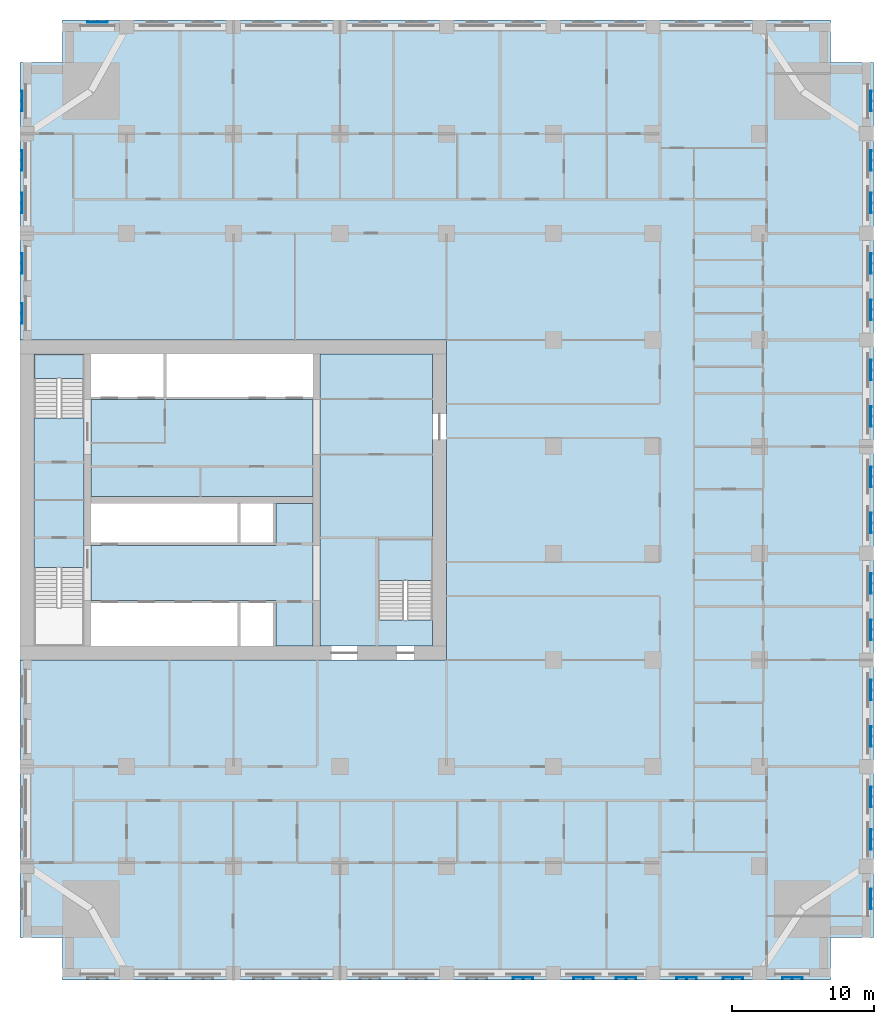
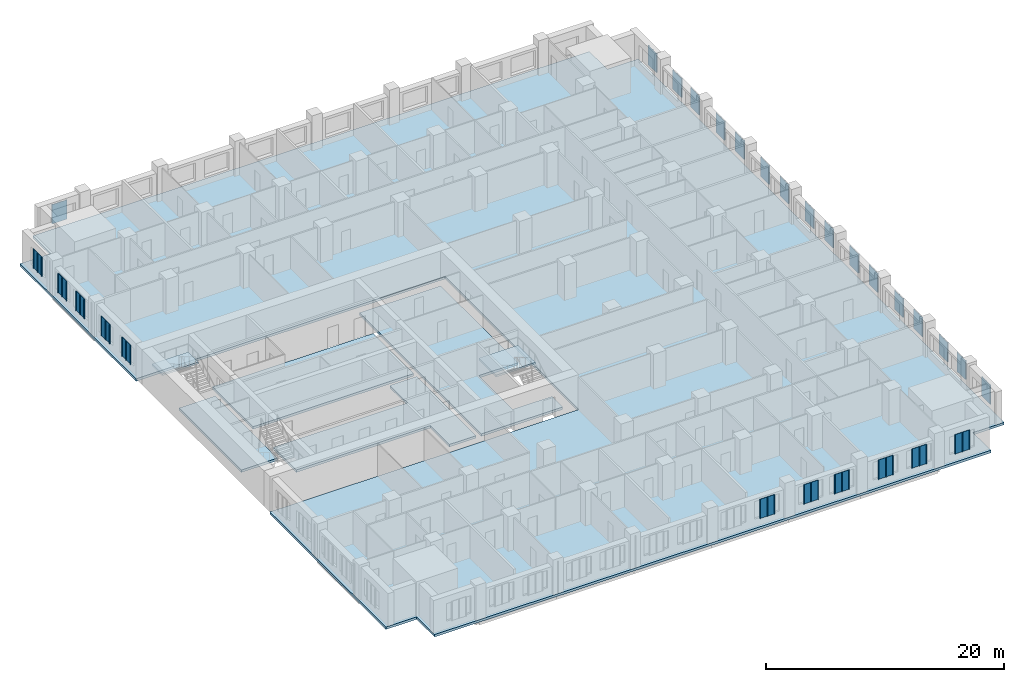
# One storey, part 2 of 14: 28 plates, 7 slabs, 2 elements without a shape of their own.
"""IFC4 building model written with IfcOpenShell, lengths in metres."""

from ifc_helpers import new_model, si_unit, direction, frame, origin, place, context, subcontext, project, spatial, polyline, outline, extrude, material, layer, layer_set, type_object, element, aggregate, save


model = new_model("IFC4")

# Units and contexts
model_context = context("Model", 3, precision=1e-05, world=origin(), true_north=direction((0.0, 1.0)))
body_context = subcontext(model_context, "Body", "Model", "MODEL_VIEW")
ifc_project = project(units=[si_unit("LENGTHUNIT", "METRE"), si_unit("AREAUNIT", "SQUARE_METRE"), si_unit("VOLUMEUNIT", "CUBIC_METRE"), si_unit("PLANEANGLEUNIT", "RADIAN"), si_unit("MASSUNIT", "GRAM", prefix="KILO")], contexts=[model_context])

# Site, building, storey
site_placement = place(None, origin())
site = spatial("IfcSite", under=ifc_project, at=site_placement, CompositionType="ELEMENT")
building_placement = place(site_placement, origin())
building = spatial("IfcBuilding", under=site, at=building_placement, Name="Tamorin Gate", CompositionType="ELEMENT")
storey_placement = place(building_placement, frame((0.0, 0.0, 55.60009765625)))
storey = spatial("IfcBuildingStorey", under=building, at=storey_placement, Name="L12", CompositionType="ELEMENT", Elevation=55.60009765625)

# Slabs
ifc_material_1 = material(Name="Concrete C40/50", Category="concrete")
ifc_layer_1 = layer(ifc_material_1, 0.25)
ifc_layer_set_1 = layer_set([ifc_layer_1], Name="Core floor slab 250 C40/50")
slab_type_1 = type_object("IfcSlabType", Name="Core floor slab 250 C40/50", PredefinedType="FLOOR", material=ifc_layer_set_1)
slab_1_placement = place(storey_placement, frame((0.0, 0.0, -0.25)))
element("IfcSlab", 1, at=slab_1_placement, inside=storey, type_object=slab_type_1, Name="Core floor L12", PredefinedType="FLOOR", context=body_context, shape_type="SweptSolid", body=[
    extrude(outline(polyline([(59.0, 62.800048828125), (59.0, 61.0), (51.10009765625, 61.0), (51.10009765625, 81.5), (59.0, 81.5), (59.0, 68.5), (55.199951171875, 68.5), (55.199951171875, 62.800048828125), (59.0, 62.800048828125)])), origin(), (0.0, 0.0, 1.0), 0.25),
])
slab_2_placement = place(storey_placement, frame((0.0, 0.0, -0.25)))
element("IfcSlab", 2, at=slab_2_placement, inside=storey, type_object=slab_type_1, Name="Core floor L12", PredefinedType="FLOOR", context=body_context, shape_type="SweptSolid", body=[
    extrude(outline(polyline([(50.60009765625, 61.0), (48.0, 61.0), (48.0, 64.199951171875), (35.0, 64.199951171875), (35.0, 68.050048828125), (48.0, 68.050048828125), (48.0, 71.0), (50.60009765625, 71.0), (50.60009765625, 61.0)])), origin(), (0.0, 0.0, 1.0), 0.25),
])
slab_3_placement = place(storey_placement, frame((0.0, 0.0, -0.25)))
element("IfcSlab", 3, at=slab_3_placement, inside=storey, type_object=slab_type_1, Name="Core floor L12", PredefinedType="FLOOR", context=body_context, shape_type="SweptSolid", body=[
    extrude(outline(polyline([(50.60009765625, 71.5), (35.0, 71.5), (35.0, 78.300048828125), (50.60009765625, 78.300048828125), (50.60009765625, 71.5)])), origin(), (0.0, 0.0, 1.0), 0.25),
])
slab_4_placement = place(storey_placement, frame((0.0, 0.0, -0.25)))
element("IfcSlab", 4, at=slab_4_placement, inside=storey, type_object=slab_type_1, Name="Core floor L12", PredefinedType="FLOOR", context=body_context, shape_type="SweptSolid", body=[
    extrude(outline(polyline([(31.0, 66.5), (31.0, 77.0), (34.5, 77.0), (34.5, 66.5), (31.0, 66.5)])), origin(), (0.0, 0.0, 1.0), 0.25),
])

# Stair, slab
stair_type = type_object("IfcStairType", Name="Exit stair", PredefinedType="HALF_TURN_STAIR", material=ifc_material_1)
stair_1_placement = place(storey_placement, origin())
stair_1 = element("IfcStair", 5, at=stair_1_placement, inside=storey, type_object=stair_type, Name="L12 stair ST2", PredefinedType="HALF_TURN_STAIR")
ifc_layer_2 = layer(ifc_material_1, 0.199951171875)
ifc_layer_set_2 = layer_set([ifc_layer_2], Name="Exit stair landing 200")
slab_type_2 = type_object("IfcSlabType", Name="Exit stair landing 200", PredefinedType="LANDING", material=ifc_layer_set_2)
slab_5_placement = place(storey_placement, frame((0.0, 0.0, 1.599853515625)))
slab_5 = element("IfcSlab", 6, at=slab_5_placement, type_object=slab_type_2, Name="ST2 landing 1", PredefinedType="LANDING", context=body_context, shape_type="SweptSolid", body=[
    extrude(outline(polyline([(34.5, 79.800048828125), (34.5, 81.5), (31.0, 81.5), (31.0, 79.800048828125), (34.5, 79.800048828125)])), origin(), (0.0, 0.0, 1.0), 0.199951171875),
])
aggregate(stair_1, [slab_5])

stair_2_placement = place(storey_placement, origin())
stair_2 = element("IfcStair", 7, at=stair_2_placement, inside=storey, type_object=stair_type, Name="L12 stair ST3", PredefinedType="HALF_TURN_STAIR")
slab_6_placement = place(storey_placement, frame((0.0, 0.0, 1.599853515625)))
slab_6 = element("IfcSlab", 8, at=slab_6_placement, type_object=slab_type_2, Name="ST3 landing 1", PredefinedType="LANDING", context=body_context, shape_type="SweptSolid", body=[
    extrude(outline(polyline([(59.0, 65.60009765625), (59.0, 68.5), (55.199951171875, 68.5), (55.199951171875, 65.60009765625), (59.0, 65.60009765625)])), origin(), (0.0, 0.0, 1.0), 0.199951171875),
])
aggregate(stair_2, [slab_6])

# Slab
ifc_layer_3 = layer(ifc_material_1, 0.25)
ifc_layer_set_3 = layer_set([ifc_layer_3], Name="Floor slab 250 C40/50")
slab_type_3 = type_object("IfcSlabType", Name="Floor slab 250 C40/50", PredefinedType="FLOOR", material=ifc_layer_set_3)
slab_7_placement = place(storey_placement, frame((0.0, 0.0, -0.25)))
element("IfcSlab", 9, at=slab_7_placement, inside=storey, type_object=slab_type_3, Name="Floor L12", PredefinedType="FLOOR", context=body_context, shape_type="SweptSolid", body=[
    extrude(outline(polyline([(30.0, 102.0), (33.0, 102.0), (33.0, 105.0), (87.0, 105.0), (87.0, 102.0), (90.0, 102.0), (90.0, 40.5), (87.0, 40.5), (87.0, 37.5), (33.0, 37.5), (33.0, 40.5), (30.0, 40.5), (30.0, 60.0), (60.0, 60.0), (60.0, 82.5), (30.0, 82.5), (30.0, 102.0)])), origin(), (0.0, 0.0, 1.0), 0.25),
])

# Plates
ifc_material_2 = material(Name="Perforated pale aluminium sheet", Category="aluminium")
ifc_layer_4 = layer(ifc_material_2, 0.0400390625)
ifc_layer_set_4 = layer_set([ifc_layer_4], Name="Pale metal solar screen 1440")
plate_type = type_object("IfcPlateType", Name="Pale metal solar screen 1440", PredefinedType="SHEET", material=ifc_layer_set_4)
plate_1_placement = place(storey_placement, frame((0.0, 0.0, 0.7099609375)))
element("IfcPlate", 10, at=plate_1_placement, inside=storey, type_object=plate_type, Name="Perforated solar screen", PredefinedType="SHEET", context=body_context, shape_type="SweptSolid", body=[
    extrude(outline(polyline([(64.655029296875, 37.659912109375), (64.655029296875, 37.699951171875), (64.715087890625, 37.699951171875), (65.344970703125, 37.699951171875), (65.405029296875, 37.699951171875), (66.034912109375, 37.699951171875), (66.094970703125, 37.699951171875), (66.094970703125, 37.659912109375), (66.094970703125, 37.60009765625), (66.034912109375, 37.60009765625), (66.034912109375, 37.659912109375), (65.405029296875, 37.659912109375), (65.405029296875, 37.60009765625), (65.344970703125, 37.60009765625), (65.344970703125, 37.659912109375), (64.715087890625, 37.659912109375), (64.715087890625, 37.60009765625), (64.655029296875, 37.60009765625), (64.655029296875, 37.659912109375)])), origin(), (0.0, 0.0, 1.0), 1.97998046875),
])
plate_2_placement = place(storey_placement, frame((0.0, 0.0, 0.7099609375)))
element("IfcPlate", 11, at=plate_2_placement, inside=storey, type_object=plate_type, Name="Perforated solar screen", PredefinedType="SHEET", context=body_context, shape_type="SweptSolid", body=[
    extrude(outline(polyline([(68.905029296875, 37.659912109375), (68.905029296875, 37.699951171875), (68.965087890625, 37.699951171875), (69.594970703125, 37.699951171875), (69.655029296875, 37.699951171875), (70.284912109375, 37.699951171875), (70.344970703125, 37.699951171875), (70.344970703125, 37.659912109375), (70.344970703125, 37.60009765625), (70.284912109375, 37.60009765625), (70.284912109375, 37.659912109375), (69.655029296875, 37.659912109375), (69.655029296875, 37.60009765625), (69.594970703125, 37.60009765625), (69.594970703125, 37.659912109375), (68.965087890625, 37.659912109375), (68.965087890625, 37.60009765625), (68.905029296875, 37.60009765625), (68.905029296875, 37.659912109375)])), origin(), (0.0, 0.0, 1.0), 1.97998046875),
])
plate_3_placement = place(storey_placement, frame((0.0, 0.0, 0.7099609375)))
element("IfcPlate", 12, at=plate_3_placement, inside=storey, type_object=plate_type, Name="Perforated solar screen", PredefinedType="SHEET", context=body_context, shape_type="SweptSolid", body=[
    extrude(outline(polyline([(71.905029296875, 37.659912109375), (71.905029296875, 37.699951171875), (71.965087890625, 37.699951171875), (72.594970703125, 37.699951171875), (72.655029296875, 37.699951171875), (73.284912109375, 37.699951171875), (73.344970703125, 37.699951171875), (73.344970703125, 37.659912109375), (73.344970703125, 37.60009765625), (73.284912109375, 37.60009765625), (73.284912109375, 37.659912109375), (72.655029296875, 37.659912109375), (72.655029296875, 37.60009765625), (72.594970703125, 37.60009765625), (72.594970703125, 37.659912109375), (71.965087890625, 37.659912109375), (71.965087890625, 37.60009765625), (71.905029296875, 37.60009765625), (71.905029296875, 37.659912109375)])), origin(), (0.0, 0.0, 1.0), 1.97998046875),
])
plate_4_placement = place(storey_placement, frame((0.0, 0.0, 0.7099609375)))
element("IfcPlate", 13, at=plate_4_placement, inside=storey, type_object=plate_type, Name="Perforated solar screen", PredefinedType="SHEET", context=body_context, shape_type="SweptSolid", body=[
    extrude(outline(polyline([(76.155029296875, 37.659912109375), (76.155029296875, 37.699951171875), (76.215087890625, 37.699951171875), (76.844970703125, 37.699951171875), (76.905029296875, 37.699951171875), (77.534912109375, 37.699951171875), (77.594970703125, 37.699951171875), (77.594970703125, 37.659912109375), (77.594970703125, 37.60009765625), (77.534912109375, 37.60009765625), (77.534912109375, 37.659912109375), (76.905029296875, 37.659912109375), (76.905029296875, 37.60009765625), (76.844970703125, 37.60009765625), (76.844970703125, 37.659912109375), (76.215087890625, 37.659912109375), (76.215087890625, 37.60009765625), (76.155029296875, 37.60009765625), (76.155029296875, 37.659912109375)])), origin(), (0.0, 0.0, 1.0), 1.97998046875),
])
plate_5_placement = place(storey_placement, frame((0.0, 0.0, 0.7099609375)))
element("IfcPlate", 14, at=plate_5_placement, inside=storey, type_object=plate_type, Name="Perforated solar screen", PredefinedType="SHEET", context=body_context, shape_type="SweptSolid", body=[
    extrude(outline(polyline([(79.405029296875, 37.659912109375), (79.405029296875, 37.699951171875), (79.465087890625, 37.699951171875), (80.094970703125, 37.699951171875), (80.155029296875, 37.699951171875), (80.784912109375, 37.699951171875), (80.844970703125, 37.699951171875), (80.844970703125, 37.659912109375), (80.844970703125, 37.60009765625), (80.784912109375, 37.60009765625), (80.784912109375, 37.659912109375), (80.155029296875, 37.659912109375), (80.155029296875, 37.60009765625), (80.094970703125, 37.60009765625), (80.094970703125, 37.659912109375), (79.465087890625, 37.659912109375), (79.465087890625, 37.60009765625), (79.405029296875, 37.60009765625), (79.405029296875, 37.659912109375)])), origin(), (0.0, 0.0, 1.0), 1.97998046875),
])
plate_6_placement = place(storey_placement, frame((0.0, 0.0, 0.7099609375)))
element("IfcPlate", 15, at=plate_6_placement, inside=storey, type_object=plate_type, Name="Perforated solar screen", PredefinedType="SHEET", context=body_context, shape_type="SweptSolid", body=[
    extrude(outline(polyline([(83.580078125, 37.659912109375), (83.580078125, 37.699951171875), (83.639892578125, 37.699951171875), (84.27001953125, 37.699951171875), (84.330078125, 37.699951171875), (84.9599609375, 37.699951171875), (85.02001953125, 37.699951171875), (85.02001953125, 37.659912109375), (85.02001953125, 37.60009765625), (84.9599609375, 37.60009765625), (84.9599609375, 37.659912109375), (84.330078125, 37.659912109375), (84.330078125, 37.60009765625), (84.27001953125, 37.60009765625), (84.27001953125, 37.659912109375), (83.639892578125, 37.659912109375), (83.639892578125, 37.60009765625), (83.580078125, 37.60009765625), (83.580078125, 37.659912109375)])), origin(), (0.0, 0.0, 1.0), 1.97998046875),
])
plate_7_placement = place(storey_placement, frame((0.0, 0.0, 0.7099609375)))
element("IfcPlate", 16, at=plate_7_placement, inside=storey, type_object=plate_type, Name="Perforated solar screen", PredefinedType="SHEET", context=body_context, shape_type="SweptSolid", body=[
    extrude(outline(polyline([(89.840087890625, 42.47998046875), (89.800048828125, 42.47998046875), (89.800048828125, 42.5400390625), (89.800048828125, 43.169921875), (89.800048828125, 43.22998046875), (89.800048828125, 43.860107421875), (89.800048828125, 43.919921875), (89.840087890625, 43.919921875), (89.89990234375, 43.919921875), (89.89990234375, 43.860107421875), (89.840087890625, 43.860107421875), (89.840087890625, 43.22998046875), (89.89990234375, 43.22998046875), (89.89990234375, 43.169921875), (89.840087890625, 43.169921875), (89.840087890625, 42.5400390625), (89.89990234375, 42.5400390625), (89.89990234375, 42.47998046875), (89.840087890625, 42.47998046875)])), origin(), (0.0, 0.0, 1.0), 1.97998046875),
])
plate_8_placement = place(storey_placement, frame((0.0, 0.0, 0.7099609375)))
element("IfcPlate", 17, at=plate_8_placement, inside=storey, type_object=plate_type, Name="Perforated solar screen", PredefinedType="SHEET", context=body_context, shape_type="SweptSolid", body=[
    extrude(outline(polyline([(89.840087890625, 46.655029296875), (89.800048828125, 46.655029296875), (89.800048828125, 46.715087890625), (89.800048828125, 47.344970703125), (89.800048828125, 47.405029296875), (89.800048828125, 48.034912109375), (89.800048828125, 48.094970703125), (89.800048828125, 48.094970703125), (89.840087890625, 48.094970703125), (89.840087890625, 48.094970703125), (89.89990234375, 48.094970703125), (89.89990234375, 48.034912109375), (89.840087890625, 48.034912109375), (89.840087890625, 47.405029296875), (89.89990234375, 47.405029296875), (89.89990234375, 47.344970703125), (89.840087890625, 47.344970703125), (89.840087890625, 46.715087890625), (89.89990234375, 46.715087890625), (89.89990234375, 46.655029296875), (89.840087890625, 46.655029296875)])), origin(), (0.0, 0.0, 1.0), 1.97998046875),
])
plate_9_placement = place(storey_placement, frame((0.0, 0.0, 0.7099609375)))
element("IfcPlate", 18, at=plate_9_placement, inside=storey, type_object=plate_type, Name="Perforated solar screen", PredefinedType="SHEET", context=body_context, shape_type="SweptSolid", body=[
    extrude(outline(polyline([(89.840087890625, 49.655029296875), (89.800048828125, 49.655029296875), (89.800048828125, 49.715087890625), (89.800048828125, 50.344970703125), (89.800048828125, 50.405029296875), (89.800048828125, 51.034912109375), (89.800048828125, 51.094970703125), (89.840087890625, 51.094970703125), (89.89990234375, 51.094970703125), (89.89990234375, 51.034912109375), (89.840087890625, 51.034912109375), (89.840087890625, 50.405029296875), (89.89990234375, 50.405029296875), (89.89990234375, 50.344970703125), (89.840087890625, 50.344970703125), (89.840087890625, 49.715087890625), (89.89990234375, 49.715087890625), (89.89990234375, 49.655029296875), (89.840087890625, 49.655029296875)])), origin(), (0.0, 0.0, 1.0), 1.97998046875),
])
plate_10_placement = place(storey_placement, frame((0.0, 0.0, 0.7099609375)))
element("IfcPlate", 19, at=plate_10_placement, inside=storey, type_object=plate_type, Name="Perforated solar screen", PredefinedType="SHEET", context=body_context, shape_type="SweptSolid", body=[
    extrude(outline(polyline([(89.840087890625, 53.905029296875), (89.800048828125, 53.905029296875), (89.800048828125, 53.965087890625), (89.800048828125, 54.594970703125), (89.800048828125, 54.655029296875), (89.800048828125, 55.284912109375), (89.800048828125, 55.344970703125), (89.840087890625, 55.344970703125), (89.89990234375, 55.344970703125), (89.89990234375, 55.284912109375), (89.840087890625, 55.284912109375), (89.840087890625, 54.655029296875), (89.89990234375, 54.655029296875), (89.89990234375, 54.594970703125), (89.840087890625, 54.594970703125), (89.840087890625, 53.965087890625), (89.89990234375, 53.965087890625), (89.89990234375, 53.905029296875), (89.840087890625, 53.905029296875)])), origin(), (0.0, 0.0, 1.0), 1.97998046875),
])
plate_11_placement = place(storey_placement, frame((0.0, 0.0, 0.7099609375)))
element("IfcPlate", 20, at=plate_11_placement, inside=storey, type_object=plate_type, Name="Perforated solar screen", PredefinedType="SHEET", context=body_context, shape_type="SweptSolid", body=[
    extrude(outline(polyline([(89.840087890625, 57.155029296875), (89.800048828125, 57.155029296875), (89.800048828125, 57.215087890625), (89.800048828125, 57.844970703125), (89.800048828125, 57.905029296875), (89.800048828125, 58.534912109375), (89.800048828125, 58.594970703125), (89.840087890625, 58.594970703125), (89.89990234375, 58.594970703125), (89.89990234375, 58.534912109375), (89.840087890625, 58.534912109375), (89.840087890625, 57.905029296875), (89.89990234375, 57.905029296875), (89.89990234375, 57.844970703125), (89.840087890625, 57.844970703125), (89.840087890625, 57.215087890625), (89.89990234375, 57.215087890625), (89.89990234375, 57.155029296875), (89.840087890625, 57.155029296875)])), origin(), (0.0, 0.0, 1.0), 1.97998046875),
])
plate_12_placement = place(storey_placement, frame((0.0, 0.0, 0.7099609375)))
element("IfcPlate", 21, at=plate_12_placement, inside=storey, type_object=plate_type, Name="Perforated solar screen", PredefinedType="SHEET", context=body_context, shape_type="SweptSolid", body=[
    extrude(outline(polyline([(89.840087890625, 61.405029296875), (89.800048828125, 61.405029296875), (89.800048828125, 61.465087890625), (89.800048828125, 62.094970703125), (89.800048828125, 62.155029296875), (89.800048828125, 62.784912109375), (89.800048828125, 62.844970703125), (89.840087890625, 62.844970703125), (89.89990234375, 62.844970703125), (89.89990234375, 62.784912109375), (89.840087890625, 62.784912109375), (89.840087890625, 62.155029296875), (89.89990234375, 62.155029296875), (89.89990234375, 62.094970703125), (89.840087890625, 62.094970703125), (89.840087890625, 61.465087890625), (89.89990234375, 61.465087890625), (89.89990234375, 61.405029296875), (89.840087890625, 61.405029296875)])), origin(), (0.0, 0.0, 1.0), 1.97998046875),
])
plate_13_placement = place(storey_placement, frame((0.0, 0.0, 0.7099609375)))
element("IfcPlate", 22, at=plate_13_placement, inside=storey, type_object=plate_type, Name="Perforated solar screen", PredefinedType="SHEET", context=body_context, shape_type="SweptSolid", body=[
    extrude(outline(polyline([(89.840087890625, 64.655029296875), (89.800048828125, 64.655029296875), (89.800048828125, 64.715087890625), (89.800048828125, 65.344970703125), (89.800048828125, 65.405029296875), (89.800048828125, 66.034912109375), (89.800048828125, 66.094970703125), (89.840087890625, 66.094970703125), (89.89990234375, 66.094970703125), (89.89990234375, 66.034912109375), (89.840087890625, 66.034912109375), (89.840087890625, 65.405029296875), (89.89990234375, 65.405029296875), (89.89990234375, 65.344970703125), (89.840087890625, 65.344970703125), (89.840087890625, 64.715087890625), (89.89990234375, 64.715087890625), (89.89990234375, 64.655029296875), (89.840087890625, 64.655029296875)])), origin(), (0.0, 0.0, 1.0), 1.97998046875),
])
plate_14_placement = place(storey_placement, frame((0.0, 0.0, 0.7099609375)))
element("IfcPlate", 23, at=plate_14_placement, inside=storey, type_object=plate_type, Name="Perforated solar screen", PredefinedType="SHEET", context=body_context, shape_type="SweptSolid", body=[
    extrude(outline(polyline([(89.840087890625, 68.905029296875), (89.800048828125, 68.905029296875), (89.800048828125, 68.965087890625), (89.800048828125, 69.594970703125), (89.800048828125, 69.655029296875), (89.800048828125, 70.284912109375), (89.800048828125, 70.344970703125), (89.840087890625, 70.344970703125), (89.89990234375, 70.344970703125), (89.89990234375, 70.284912109375), (89.840087890625, 70.284912109375), (89.840087890625, 69.655029296875), (89.89990234375, 69.655029296875), (89.89990234375, 69.594970703125), (89.840087890625, 69.594970703125), (89.840087890625, 68.965087890625), (89.89990234375, 68.965087890625), (89.89990234375, 68.905029296875), (89.840087890625, 68.905029296875)])), origin(), (0.0, 0.0, 1.0), 1.97998046875),
])
plate_15_placement = place(storey_placement, frame((0.0, 0.0, 0.7099609375)))
element("IfcPlate", 24, at=plate_15_placement, inside=storey, type_object=plate_type, Name="Perforated solar screen", PredefinedType="SHEET", context=body_context, shape_type="SweptSolid", body=[
    extrude(outline(polyline([(89.840087890625, 72.155029296875), (89.800048828125, 72.155029296875), (89.800048828125, 72.215087890625), (89.800048828125, 72.844970703125), (89.800048828125, 72.905029296875), (89.800048828125, 73.534912109375), (89.800048828125, 73.594970703125), (89.840087890625, 73.594970703125), (89.89990234375, 73.594970703125), (89.89990234375, 73.534912109375), (89.840087890625, 73.534912109375), (89.840087890625, 72.905029296875), (89.89990234375, 72.905029296875), (89.89990234375, 72.844970703125), (89.840087890625, 72.844970703125), (89.840087890625, 72.215087890625), (89.89990234375, 72.215087890625), (89.89990234375, 72.155029296875), (89.840087890625, 72.155029296875)])), origin(), (0.0, 0.0, 1.0), 1.97998046875),
])
plate_16_placement = place(storey_placement, frame((0.0, 0.0, 0.7099609375)))
element("IfcPlate", 25, at=plate_16_placement, inside=storey, type_object=plate_type, Name="Perforated solar screen", PredefinedType="SHEET", context=body_context, shape_type="SweptSolid", body=[
    extrude(outline(polyline([(89.840087890625, 76.405029296875), (89.800048828125, 76.405029296875), (89.800048828125, 76.465087890625), (89.800048828125, 77.094970703125), (89.800048828125, 77.155029296875), (89.800048828125, 77.784912109375), (89.800048828125, 77.844970703125), (89.840087890625, 77.844970703125), (89.89990234375, 77.844970703125), (89.89990234375, 77.784912109375), (89.840087890625, 77.784912109375), (89.840087890625, 77.155029296875), (89.89990234375, 77.155029296875), (89.89990234375, 77.094970703125), (89.840087890625, 77.094970703125), (89.840087890625, 76.465087890625), (89.89990234375, 76.465087890625), (89.89990234375, 76.405029296875), (89.840087890625, 76.405029296875)])), origin(), (0.0, 0.0, 1.0), 1.97998046875),
])
plate_17_placement = place(storey_placement, frame((0.0, 0.0, 0.7099609375)))
element("IfcPlate", 26, at=plate_17_placement, inside=storey, type_object=plate_type, Name="Perforated solar screen", PredefinedType="SHEET", context=body_context, shape_type="SweptSolid", body=[
    extrude(outline(polyline([(89.840087890625, 79.655029296875), (89.800048828125, 79.655029296875), (89.800048828125, 79.715087890625), (89.800048828125, 80.344970703125), (89.800048828125, 80.405029296875), (89.800048828125, 81.034912109375), (89.800048828125, 81.094970703125), (89.840087890625, 81.094970703125), (89.89990234375, 81.094970703125), (89.89990234375, 81.034912109375), (89.840087890625, 81.034912109375), (89.840087890625, 80.405029296875), (89.89990234375, 80.405029296875), (89.89990234375, 80.344970703125), (89.840087890625, 80.344970703125), (89.840087890625, 79.715087890625), (89.89990234375, 79.715087890625), (89.89990234375, 79.655029296875), (89.840087890625, 79.655029296875)])), origin(), (0.0, 0.0, 1.0), 1.97998046875),
])
plate_18_placement = place(storey_placement, frame((0.0, 0.0, 0.7099609375)))
element("IfcPlate", 27, at=plate_18_placement, inside=storey, type_object=plate_type, Name="Perforated solar screen", PredefinedType="SHEET", context=body_context, shape_type="SweptSolid", body=[
    extrude(outline(polyline([(89.840087890625, 83.905029296875), (89.800048828125, 83.905029296875), (89.800048828125, 83.965087890625), (89.800048828125, 84.594970703125), (89.800048828125, 84.655029296875), (89.800048828125, 85.284912109375), (89.800048828125, 85.344970703125), (89.840087890625, 85.344970703125), (89.89990234375, 85.344970703125), (89.89990234375, 85.284912109375), (89.840087890625, 85.284912109375), (89.840087890625, 84.655029296875), (89.89990234375, 84.655029296875), (89.89990234375, 84.594970703125), (89.840087890625, 84.594970703125), (89.840087890625, 83.965087890625), (89.89990234375, 83.965087890625), (89.89990234375, 83.905029296875), (89.840087890625, 83.905029296875)])), origin(), (0.0, 0.0, 1.0), 1.97998046875),
])
plate_19_placement = place(storey_placement, frame((0.0, 0.0, 0.7099609375)))
element("IfcPlate", 28, at=plate_19_placement, inside=storey, type_object=plate_type, Name="Perforated solar screen", PredefinedType="SHEET", context=body_context, shape_type="SweptSolid", body=[
    extrude(outline(polyline([(89.840087890625, 87.155029296875), (89.800048828125, 87.155029296875), (89.800048828125, 87.215087890625), (89.800048828125, 87.844970703125), (89.800048828125, 87.905029296875), (89.800048828125, 88.534912109375), (89.800048828125, 88.594970703125), (89.840087890625, 88.594970703125), (89.89990234375, 88.594970703125), (89.89990234375, 88.534912109375), (89.840087890625, 88.534912109375), (89.840087890625, 87.905029296875), (89.89990234375, 87.905029296875), (89.89990234375, 87.844970703125), (89.840087890625, 87.844970703125), (89.840087890625, 87.215087890625), (89.89990234375, 87.215087890625), (89.89990234375, 87.155029296875), (89.840087890625, 87.155029296875)])), origin(), (0.0, 0.0, 1.0), 1.97998046875),
])
plate_20_placement = place(storey_placement, frame((0.0, 0.0, 0.7099609375)))
element("IfcPlate", 29, at=plate_20_placement, inside=storey, type_object=plate_type, Name="Perforated solar screen", PredefinedType="SHEET", context=body_context, shape_type="SweptSolid", body=[
    extrude(outline(polyline([(89.840087890625, 91.405029296875), (89.800048828125, 91.405029296875), (89.800048828125, 91.465087890625), (89.800048828125, 92.094970703125), (89.800048828125, 92.155029296875), (89.800048828125, 92.784912109375), (89.800048828125, 92.844970703125), (89.840087890625, 92.844970703125), (89.89990234375, 92.844970703125), (89.89990234375, 92.784912109375), (89.840087890625, 92.784912109375), (89.840087890625, 92.155029296875), (89.89990234375, 92.155029296875), (89.89990234375, 92.094970703125), (89.840087890625, 92.094970703125), (89.840087890625, 91.465087890625), (89.89990234375, 91.465087890625), (89.89990234375, 91.405029296875), (89.840087890625, 91.405029296875)])), origin(), (0.0, 0.0, 1.0), 1.97998046875),
])
plate_21_placement = place(storey_placement, frame((0.0, 0.0, 0.7099609375)))
element("IfcPlate", 30, at=plate_21_placement, inside=storey, type_object=plate_type, Name="Perforated solar screen", PredefinedType="SHEET", context=body_context, shape_type="SweptSolid", body=[
    extrude(outline(polyline([(89.840087890625, 94.405029296875), (89.800048828125, 94.405029296875), (89.800048828125, 94.465087890625), (89.800048828125, 95.094970703125), (89.800048828125, 95.155029296875), (89.800048828125, 95.784912109375), (89.800048828125, 95.844970703125), (89.840087890625, 95.844970703125), (89.89990234375, 95.844970703125), (89.89990234375, 95.784912109375), (89.840087890625, 95.784912109375), (89.840087890625, 95.155029296875), (89.89990234375, 95.155029296875), (89.89990234375, 95.094970703125), (89.840087890625, 95.094970703125), (89.840087890625, 94.465087890625), (89.89990234375, 94.465087890625), (89.89990234375, 94.405029296875), (89.840087890625, 94.405029296875)])), origin(), (0.0, 0.0, 1.0), 1.97998046875),
])
plate_22_placement = place(storey_placement, frame((0.0, 0.0, 0.7099609375)))
element("IfcPlate", 31, at=plate_22_placement, inside=storey, type_object=plate_type, Name="Perforated solar screen", PredefinedType="SHEET", context=body_context, shape_type="SweptSolid", body=[
    extrude(outline(polyline([(89.840087890625, 98.580078125), (89.800048828125, 98.580078125), (89.800048828125, 98.639892578125), (89.800048828125, 99.27001953125), (89.800048828125, 99.330078125), (89.800048828125, 99.9599609375), (89.800048828125, 100.02001953125), (89.840087890625, 100.02001953125), (89.89990234375, 100.02001953125), (89.89990234375, 99.9599609375), (89.840087890625, 99.9599609375), (89.840087890625, 99.330078125), (89.89990234375, 99.330078125), (89.89990234375, 99.27001953125), (89.840087890625, 99.27001953125), (89.840087890625, 98.639892578125), (89.89990234375, 98.639892578125), (89.89990234375, 98.580078125), (89.840087890625, 98.580078125)])), origin(), (0.0, 0.0, 1.0), 1.97998046875),
])
plate_23_placement = place(storey_placement, frame((0.0, 0.0, 0.7099609375)))
element("IfcPlate", 32, at=plate_23_placement, inside=storey, type_object=plate_type, Name="Perforated solar screen", PredefinedType="SHEET", context=body_context, shape_type="SweptSolid", body=[
    extrude(outline(polyline([(36.169921875, 104.840087890625), (36.169921875, 104.800048828125), (36.110107421875, 104.800048828125), (35.47998046875, 104.800048828125), (35.419921875, 104.800048828125), (34.7900390625, 104.800048828125), (34.72998046875, 104.800048828125), (34.72998046875, 104.840087890625), (34.72998046875, 104.89990234375), (34.7900390625, 104.89990234375), (34.7900390625, 104.840087890625), (35.419921875, 104.840087890625), (35.419921875, 104.89990234375), (35.47998046875, 104.89990234375), (35.47998046875, 104.840087890625), (36.110107421875, 104.840087890625), (36.110107421875, 104.89990234375), (36.169921875, 104.89990234375), (36.169921875, 104.840087890625)])), origin(), (0.0, 0.0, 1.0), 1.97998046875),
])
plate_24_placement = place(storey_placement, frame((0.0, 0.0, 0.7099609375)))
element("IfcPlate", 33, at=plate_24_placement, inside=storey, type_object=plate_type, Name="Perforated solar screen", PredefinedType="SHEET", context=body_context, shape_type="SweptSolid", body=[
    extrude(outline(polyline([(30.159912109375, 100.02001953125), (30.199951171875, 100.02001953125), (30.199951171875, 99.9599609375), (30.199951171875, 99.330078125), (30.199951171875, 99.27001953125), (30.199951171875, 98.639892578125), (30.199951171875, 98.580078125), (30.159912109375, 98.580078125), (30.10009765625, 98.580078125), (30.10009765625, 98.639892578125), (30.159912109375, 98.639892578125), (30.159912109375, 99.27001953125), (30.10009765625, 99.27001953125), (30.10009765625, 99.330078125), (30.159912109375, 99.330078125), (30.159912109375, 99.9599609375), (30.10009765625, 99.9599609375), (30.10009765625, 100.02001953125), (30.159912109375, 100.02001953125)])), origin(), (0.0, 0.0, 1.0), 1.97998046875),
])
plate_25_placement = place(storey_placement, frame((0.0, 0.0, 0.7099609375)))
element("IfcPlate", 34, at=plate_25_placement, inside=storey, type_object=plate_type, Name="Perforated solar screen", PredefinedType="SHEET", context=body_context, shape_type="SweptSolid", body=[
    extrude(outline(polyline([(30.159912109375, 92.844970703125), (30.199951171875, 92.844970703125), (30.199951171875, 92.784912109375), (30.199951171875, 92.155029296875), (30.199951171875, 92.094970703125), (30.199951171875, 91.465087890625), (30.199951171875, 91.405029296875), (30.159912109375, 91.405029296875), (30.10009765625, 91.405029296875), (30.10009765625, 91.465087890625), (30.159912109375, 91.465087890625), (30.159912109375, 92.094970703125), (30.10009765625, 92.094970703125), (30.10009765625, 92.155029296875), (30.159912109375, 92.155029296875), (30.159912109375, 92.784912109375), (30.10009765625, 92.784912109375), (30.10009765625, 92.844970703125), (30.159912109375, 92.844970703125)])), origin(), (0.0, 0.0, 1.0), 1.97998046875),
])
plate_26_placement = place(storey_placement, frame((0.0, 0.0, 0.7099609375)))
element("IfcPlate", 35, at=plate_26_placement, inside=storey, type_object=plate_type, Name="Perforated solar screen", PredefinedType="SHEET", context=body_context, shape_type="SweptSolid", body=[
    extrude(outline(polyline([(30.159912109375, 95.844970703125), (30.199951171875, 95.844970703125), (30.199951171875, 95.784912109375), (30.199951171875, 95.155029296875), (30.199951171875, 95.094970703125), (30.199951171875, 94.465087890625), (30.199951171875, 94.405029296875), (30.199951171875, 94.405029296875), (30.159912109375, 94.405029296875), (30.159912109375, 94.405029296875), (30.10009765625, 94.405029296875), (30.10009765625, 94.465087890625), (30.159912109375, 94.465087890625), (30.159912109375, 95.094970703125), (30.10009765625, 95.094970703125), (30.10009765625, 95.155029296875), (30.159912109375, 95.155029296875), (30.159912109375, 95.784912109375), (30.10009765625, 95.784912109375), (30.10009765625, 95.844970703125), (30.159912109375, 95.844970703125)])), origin(), (0.0, 0.0, 1.0), 1.97998046875),
])
plate_27_placement = place(storey_placement, frame((0.0, 0.0, 0.7099609375)))
element("IfcPlate", 36, at=plate_27_placement, inside=storey, type_object=plate_type, Name="Perforated solar screen", PredefinedType="SHEET", context=body_context, shape_type="SweptSolid", body=[
    extrude(outline(polyline([(30.159912109375, 85.094970703125), (30.199951171875, 85.094970703125), (30.199951171875, 85.034912109375), (30.199951171875, 84.405029296875), (30.199951171875, 84.344970703125), (30.199951171875, 83.715087890625), (30.199951171875, 83.655029296875), (30.159912109375, 83.655029296875), (30.10009765625, 83.655029296875), (30.10009765625, 83.715087890625), (30.159912109375, 83.715087890625), (30.159912109375, 84.344970703125), (30.10009765625, 84.344970703125), (30.10009765625, 84.405029296875), (30.159912109375, 84.405029296875), (30.159912109375, 85.034912109375), (30.10009765625, 85.034912109375), (30.10009765625, 85.094970703125), (30.159912109375, 85.094970703125)])), origin(), (0.0, 0.0, 1.0), 1.97998046875),
])
plate_28_placement = place(storey_placement, frame((0.0, 0.0, 0.7099609375)))
element("IfcPlate", 37, at=plate_28_placement, inside=storey, type_object=plate_type, Name="Perforated solar screen", PredefinedType="SHEET", context=body_context, shape_type="SweptSolid", body=[
    extrude(outline(polyline([(30.159912109375, 88.594970703125), (30.199951171875, 88.594970703125), (30.199951171875, 88.534912109375), (30.199951171875, 87.905029296875), (30.199951171875, 87.844970703125), (30.199951171875, 87.215087890625), (30.199951171875, 87.155029296875), (30.159912109375, 87.155029296875), (30.10009765625, 87.155029296875), (30.10009765625, 87.215087890625), (30.159912109375, 87.215087890625), (30.159912109375, 87.844970703125), (30.10009765625, 87.844970703125), (30.10009765625, 87.905029296875), (30.159912109375, 87.905029296875), (30.159912109375, 88.534912109375), (30.10009765625, 88.534912109375), (30.10009765625, 88.594970703125), (30.159912109375, 88.594970703125)])), origin(), (0.0, 0.0, 1.0), 1.97998046875),
])

save(model, "model.ifc")
